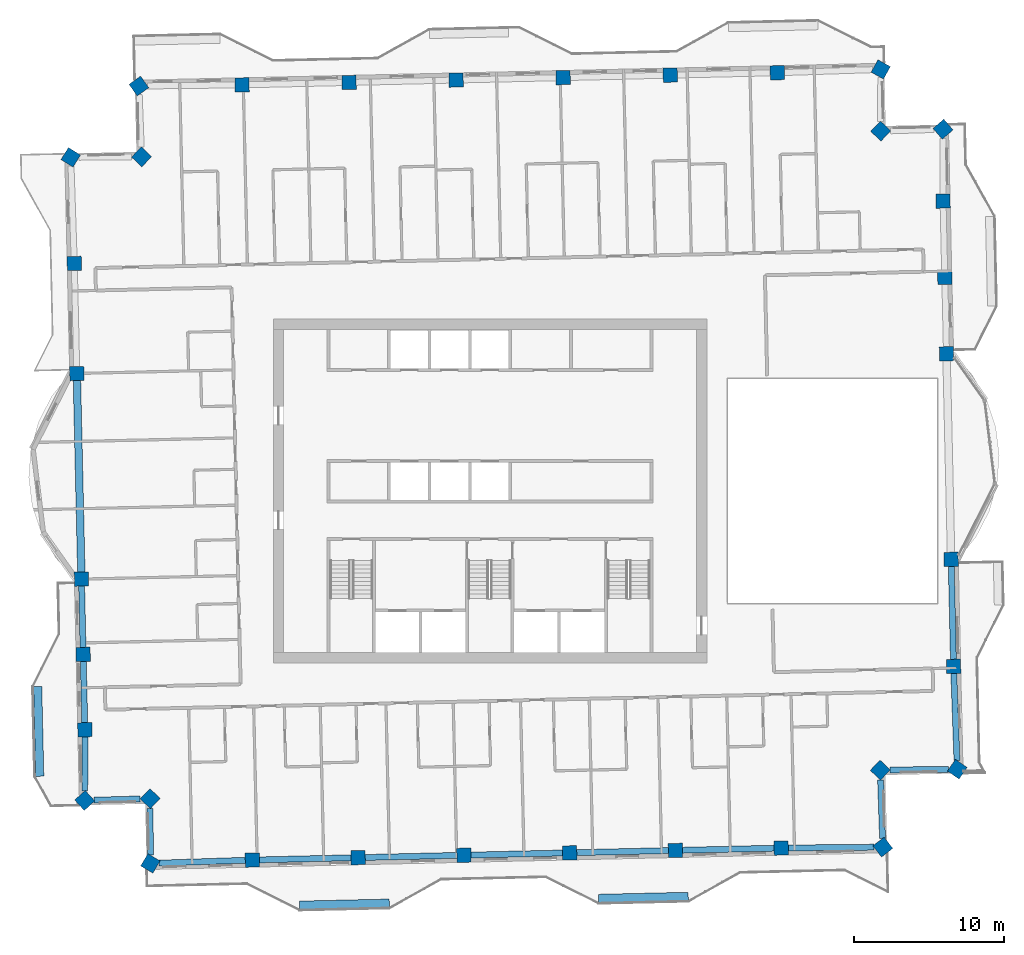
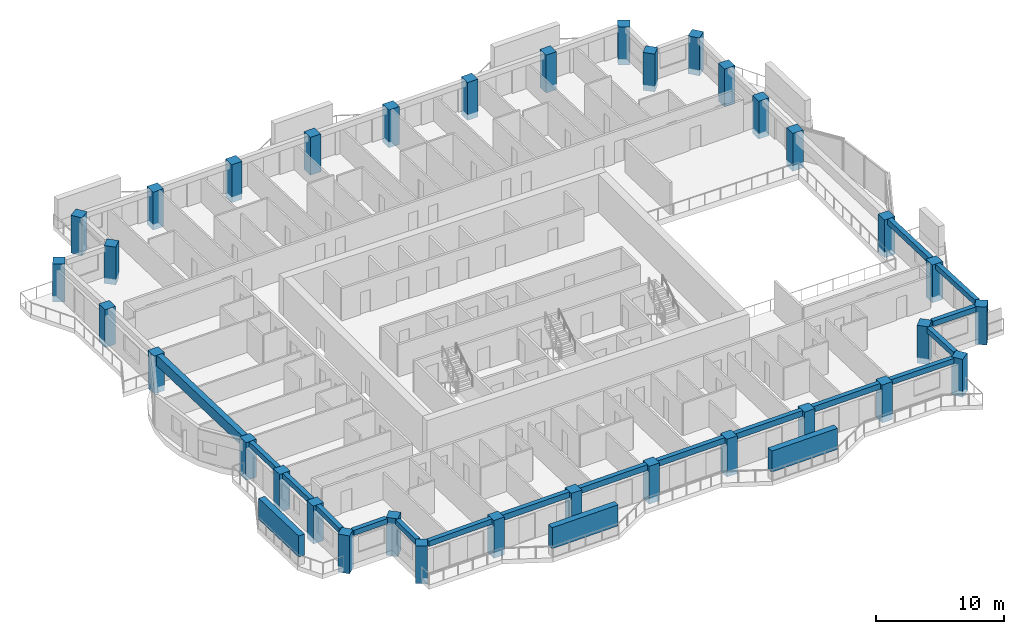
# One storey, part 1 of 18: 34 columns, 17 beams, 3 members.
"""IFC4 building model written with IfcOpenShell, lengths in metres."""

from ifc_helpers import new_model, si_unit, direction, frame, origin, origin_2d, place, context, subcontext, project, spatial, rectangle, extrude, material, material_profile, profile_set, type_object, element, save


model = new_model("IFC4")

# Units and contexts
model_context = context("Model", 3, precision=1e-05, world=origin(), true_north=direction((0.0, 1.0)))
body_context = subcontext(model_context, "Body", "Model", "MODEL_VIEW")
ifc_project = project(units=[si_unit("LENGTHUNIT", "METRE"), si_unit("AREAUNIT", "SQUARE_METRE"), si_unit("VOLUMEUNIT", "CUBIC_METRE"), si_unit("PLANEANGLEUNIT", "RADIAN"), si_unit("MASSUNIT", "GRAM", prefix="KILO")], contexts=[model_context])

# Site, building, storey
site_placement = place(None, origin())
site = spatial("IfcSite", under=ifc_project, at=site_placement, CompositionType="ELEMENT")
building_placement = place(site_placement, origin())
building = spatial("IfcBuilding", under=site, at=building_placement, Name="Mangrove Gate Tower", CompositionType="ELEMENT")
storey_placement = place(building_placement, frame((0.0, 0.0, 290.699951171875)))
storey = spatial("IfcBuildingStorey", under=building, at=storey_placement, Name="L74", CompositionType="ELEMENT", Elevation=290.699951171875)

# Columns
ifc_material_1 = material(Name="Concrete C50/60", Category="concrete")
ifc_material_profile_1 = material_profile(ifc_material_1, rectangle(XDim=0.949951171875, YDim=0.949951171875, at=origin_2d()))
ifc_profile_set_1 = profile_set([ifc_material_profile_1], Name="Concrete C50/60")
column_type = type_object("IfcColumnType", Name="Column RC 950x950 C50/60", PredefinedType="COLUMN", material=ifc_profile_set_1)
for number, where, z_axis, x_axis, name in (
    (1, (-27.3291015625, -5.88330078125, -0.550048828125), (0.0, 0.0, 1.0), (0.022668227132, -0.999743042726, 0.0), "Column L74 W05"),
    (2, (-27.215087890625, -10.92431640625, -0.550048828125), (0.0, 0.0, 1.0), (0.022611029903, -0.999744337982, 0.0), "Column L74 W06"),
    (3, (-27.10107421875, -15.964111328125, -0.550048828125), (0.0, 0.0, 1.0), (0.022712390043, -0.999742040398, 0.0), "Column L74 W07"),
    (4, (-27.1103515625, -20.694580078125, -0.550048828125), (0.0, 0.0, 1.0), (0.674559871236, -0.738220143398, 0.0), "Column L74 W08"),
    (5, (-22.73388671875, -20.571533203125, -0.550048828125), (0.0, 0.0, 1.0), (0.722917548782, -0.690934307777, 0.0), "Column L74 W09"),
    (6, (-22.721435546875, -24.905029296875, -0.550048828125), (0.0, 0.0, 1.0), (0.860936080736, -0.508713145974, 0.0), "Column L74 S01"),
    (7, (-15.898681640625, -24.67919921875, -0.550048828125), (0.0, 0.0, 1.0), (0.999742783124, 0.022679673549, 0.0), "Column L74 S02"),
    (8, (-8.82373046875, -24.51806640625, -0.550048828125), (0.0, 0.0, 1.0), (0.999742783124, 0.022679673549, 0.0), "Column L74 S03"),
    (9, (-1.748779296875, -24.358154296875, -0.550048828125), (0.0, 0.0, 1.0), (0.999742746705, 0.022681278839, 0.0), "Column L74 S04"),
    (10, (5.3251953125, -24.197021484375, -0.550048828125), (0.0, 0.0, 1.0), (0.999741142154, 0.022751894086, 0.0), "Column L74 S05"),
    (11, (12.400146484375, -24.0361328125, -0.550048828125), (0.0, 0.0, 1.0), (0.999742783124, 0.022679673549, 0.0), "Column L74 S06"),
    (12, (19.475341796875, -23.876220703125, -0.550048828125), (0.0, 0.0, 1.0), (0.999742783124, 0.022679673549, 0.0), "Column L74 S07"),
    (13, (26.271240234375, -23.813720703125, -0.550048828125), (0.0, 0.0, 1.0), (0.792213187663, 0.610244430775, 0.0), "Column L74 S08"),
    (14, (26.099609375, -18.663818359375, -0.550048828125), (0.0, 0.0, 1.0), (0.690876732885, 0.722972572065, 0.0), "Column L74 E01"),
    (15, (31.25048828125, -18.603759765625, -0.550048828125), (0.0, 0.0, 1.0), (0.568957327632, 0.8223670466, 0.0), "Column L74 E02"),
    (16, (31.004150390625, -11.723876953125, -0.550048828125), (0.0, 0.0, 1.0), (-0.02268810132, 0.9997425919, 0.0), "Column L74 E03"),
    (17, (30.841064453125, -4.563720703125, -0.550048828125), (0.0, 0.0, 1.0), (-0.022713803395, 0.999742008288, 0.0), "Column L74 E04"),
    (18, (30.529052734375, 9.183349609375, -0.550048828125), (0.0, 0.0, 1.0), (-0.022641914322, 0.999743638997, 0.0), "Column L74 E05"),
    (19, (30.4140625, 14.290283203125, -0.550048828125), (0.0, 0.0, 1.0), (-0.022610227257, 0.999744356135, 0.0), "Column L74 E06"),
    (20, (30.298095703125, 19.397216796875, -0.550048828125), (0.0, 0.0, 1.0), (-0.022708062743, 0.999742138697, 0.0), "Column L74 E07"),
    (21, (30.297119140625, 24.205078125, -0.550048828125), (0.0, 0.0, 1.0), (-0.652445951575, 0.757835259323, 0.0), "Column L74 E08"),
    (22, (26.1298828125, 24.07666015625, -0.550048828125), (0.0, 0.0, 1.0), (-0.722919671176, 0.69093208713, 0.0), "Column L74 E09"),
    (23, (26.132080078125, 28.203857421875, -0.550048828125), (0.0, 0.0, 1.0), (-0.873907193452, 0.486092807222, 0.0), "Column L74 N01"),
    (24, (19.212890625, 27.981201171875, -0.550048828125), (0.0, 0.0, 1.0), (-0.9997425919, -0.02268810132, 0.0), "Column L74 N02"),
    (25, (12.052734375, 27.819091796875, -0.550048828125), (0.0, 0.0, 1.0), (-0.9997425919, -0.02268810132, 0.0), "Column L74 N03"),
    (26, (4.891845703125, 27.656005859375, -0.550048828125), (0.0, 0.0, 1.0), (-0.9997425919, -0.02268810132, 0.0), "Column L74 N04"),
    (27, (-2.268310546875, 27.494140625, -0.550048828125), (0.0, 0.0, 1.0), (-0.9997425919, -0.02268810132, 0.0), "Column L74 N05"),
    (28, (-9.42919921875, 27.3310546875, -0.550048828125), (0.0, 0.0, 1.0), (-0.9997425919, -0.02268810132, 0.0), "Column L74 N06"),
    (29, (-16.589111328125, 27.169189453125, -0.550048828125), (0.0, 0.0, 1.0), (-0.9997425919, -0.02268810132, 0.0), "Column L74 N07"),
    (30, (-23.48779296875, 27.092529296875, -0.550048828125), (0.0, 0.0, 1.0), (-0.81788929658, -0.575375615176, 0.0), "Column L74 N08"),
    (31, (-23.30859375, 22.354736328125, -0.550048828125), (0.0, 0.0, 1.0), (-0.690864619266, -0.722984147714, 0.0), "Column L74 W01"),
    (32, (-28.04638671875, 22.32373046875, -0.550048828125), (0.0, 0.0, 1.0), (-0.526906799816, -0.849923069641, 0.0), "Column L74 W02"),
    (33, (-27.80810546875, 15.223876953125, -0.550048828125), (0.0, 0.0, 1.0), (0.022682831782, -0.999742711472, 0.0), "Column L74 W03"),
    (34, (-27.64111328125, 7.86376953125, -0.550048828125), (0.0, 0.0, 1.0), (0.022688048974, -0.999742593088, 0.0), "Column L74 W04"),
):
    element("IfcColumn", number, at=place(storey_placement, frame(where, z_axis=z_axis, x_axis=x_axis)), inside=storey, type_object=column_type, Name=name, PredefinedType="COLUMN", context=body_context, shape_type="SweptSolid", body=[
        extrude(rectangle(XDim=0.949951171875, YDim=0.949951171875, at=origin_2d()), origin(), (0.0, 0.0, 1.0), 3.60009765625),
    ])

# Members
ifc_material_2 = material(Name="Planting on aluminium trellis", Category="aluminium")
ifc_material_profile_2 = material_profile(ifc_material_2, rectangle(XDim=0.550048828125, YDim=2.0, at=origin_2d()))
ifc_profile_set_2 = profile_set([ifc_material_profile_2], Name="Planting on aluminium trellis")
member_type = type_object("IfcMemberType", Name="Balcony greenery screen 550x2000", PredefinedType="USERDEFINED", material=ifc_profile_set_2)
member_placement = place(storey_placement, frame((-30.12109375, -19.074951171875, 1.800048828125), z_axis=(-0.022665943652, 0.999743094499, 0.0), x_axis=(-0.999743094499, -0.022665943652, 0.0)))
element("IfcMember", 35, at=member_placement, inside=storey, type_object=member_type, Name="GREEN SCREEN L74 W1.1", ObjectType="PLANTING", PredefinedType="USERDEFINED", context=body_context, shape_type="SweptSolid", body=[
    extrude(rectangle(XDim=0.550048828125, YDim=2.0, at=origin_2d()), origin(), (0.0, 0.0, 1.0), 5.99951171875),
])
for number, where, z_axis, x_axis, name in (
    (36, (-12.738037109375, -27.697998046875, 1.800048828125), (0.999743178102, 0.022662255828, 0.0), (-0.022662255828, 0.999743178102, 0.0), "GREEN SCREEN L74 S0.1"),
    (37, (7.257080078125, -27.243896484375, 1.800048828125), (0.999743178102, 0.022662255828, 0.0), (-0.022662255828, 0.999743178102, 0.0), "GREEN SCREEN L74 S1.1"),
):
    element("IfcMember", number, at=place(storey_placement, frame(where, z_axis=z_axis, x_axis=x_axis)), inside=storey, type_object=member_type, Name=name, ObjectType="PLANTING", PredefinedType="USERDEFINED", context=body_context, shape_type="SweptSolid", body=[
        extrude(rectangle(XDim=0.550048828125, YDim=2.0, at=origin_2d()), origin(), (0.0, 0.0, 1.0), 6.00048828125),
    ])

# Beams
ifc_material_3 = material(Name="Concrete C50/60", Category="concrete")
ifc_material_profile_3 = material_profile(ifc_material_3, rectangle(XDim=0.39990234375, YDim=0.5, at=origin_2d()))
ifc_profile_set_3 = profile_set([ifc_material_profile_3], Name="Concrete C50/60")
beam_type_1 = type_object("IfcBeamType", Name="Edge beam RC 400x500 C50/60", PredefinedType="BEAM", material=ifc_profile_set_3)
beam_1_placement = place(storey_placement, frame((-27.318359375, -6.358154296875, 2.800048828125), z_axis=(0.022610282283, -0.99974435489, 0.0), x_axis=(0.99974435489, 0.022610282283, 0.0)))
element("IfcBeam", 38, at=beam_1_placement, inside=storey, type_object=beam_type_1, Name="Edge beam L74 00", PredefinedType="BEAM", context=body_context, shape_type="SweptSolid", body=[
    extrude(rectangle(XDim=0.39990234375, YDim=0.5, at=origin_2d()), origin(), (0.0, 0.0, 1.0), 4.09228515625),
])
beam_2_placement = place(storey_placement, frame((-27.204345703125, -11.399169921875, 2.800048828125), z_axis=(0.022617026961, -0.999744202329, 0.0), x_axis=(0.999744202329, 0.022617026961, 0.0)))
element("IfcBeam", 39, at=beam_2_placement, inside=storey, type_object=beam_type_1, Name="Edge beam L74 01", PredefinedType="BEAM", context=body_context, shape_type="SweptSolid", body=[
    extrude(rectangle(XDim=0.39990234375, YDim=0.5, at=origin_2d()), origin(), (0.0, 0.0, 1.0), 4.091064453125),
])
beam_3_placement = place(storey_placement, frame((-27.10205078125, -16.439453125, 2.800048828125), z_axis=(-0.001960913128, -0.999998077408, 0.0), x_axis=(0.999998077408, -0.001960913128, 0.0)))
element("IfcBeam", 40, at=beam_3_placement, inside=storey, type_object=beam_type_1, Name="Edge beam L74 02", PredefinedType="BEAM", context=body_context, shape_type="SweptSolid", body=[
    extrude(rectangle(XDim=0.39990234375, YDim=0.5, at=origin_2d()), origin(), (0.0, 0.0, 1.0), 3.610595703125),
])
beam_4_placement = place(storey_placement, frame((-26.48291015625, -20.677001953125, 2.800048828125), z_axis=(0.999604650157, 0.028116603344, 0.0), x_axis=(-0.028116603344, 0.999604650157, 0.0)))
element("IfcBeam", 41, at=beam_4_placement, inside=storey, type_object=beam_type_1, Name="Edge beam L74 03", PredefinedType="BEAM", context=body_context, shape_type="SweptSolid", body=[
    extrude(rectangle(XDim=0.39990234375, YDim=0.5, at=origin_2d()), origin(), (0.0, 0.0, 1.0), 3.08251953125),
])
beam_5_placement = place(storey_placement, frame((-22.73193359375, -21.23046875, 2.800048828125), z_axis=(0.002893551662, -0.999995813671, 0.0), x_axis=(0.999995813671, 0.002893551662, 0.0)))
element("IfcBeam", 42, at=beam_5_placement, inside=storey, type_object=beam_type_1, Name="Edge beam L74 04", PredefinedType="BEAM", context=body_context, shape_type="SweptSolid", body=[
    extrude(rectangle(XDim=0.39990234375, YDim=0.5, at=origin_2d()), origin(), (0.0, 0.0, 1.0), 3.121826171875),
])
beam_6_placement = place(storey_placement, frame((-22.15869140625, -24.886474609375, 2.800048828125), z_axis=(0.999451720574, 0.033109790709, 0.0), x_axis=(-0.033109790709, 0.999451720574, 0.0)))
element("IfcBeam", 43, at=beam_6_placement, inside=storey, type_object=beam_type_1, Name="Edge beam L74 05", PredefinedType="BEAM", context=body_context, shape_type="SweptSolid", body=[
    extrude(rectangle(XDim=0.39990234375, YDim=0.5, at=origin_2d()), origin(), (0.0, 0.0, 1.0), 5.788330078125),
])
beam_7_placement = place(storey_placement, frame((19.9501953125, -23.871826171875, 2.800048828125), z_axis=(0.999957587868, 0.009209911265, 0.0), x_axis=(-0.009209911265, 0.999957587868, 0.0)))
element("IfcBeam", 44, at=beam_7_placement, inside=storey, type_object=beam_type_1, Name="Edge beam L74 11", PredefinedType="BEAM", context=body_context, shape_type="SweptSolid", body=[
    extrude(rectangle(XDim=0.39990234375, YDim=0.5, at=origin_2d()), origin(), (0.0, 0.0, 1.0), 5.725830078125),
])
beam_8_placement = place(storey_placement, frame((26.251708984375, -23.22900390625, 2.800048828125), z_axis=(-0.033277341028, 0.999446155915, 0.0), x_axis=(-0.999446155915, -0.033277341028, 0.0)))
element("IfcBeam", 45, at=beam_8_placement, inside=storey, type_object=beam_type_1, Name="Edge beam L74 12", PredefinedType="BEAM", context=body_context, shape_type="SweptSolid", body=[
    extrude(rectangle(XDim=0.39990234375, YDim=0.5, at=origin_2d()), origin(), (0.0, 0.0, 1.0), 3.903076171875),
])
beam_9_placement = place(storey_placement, frame((26.763916015625, -18.656005859375, 2.800048828125), z_axis=(0.99993236047, 0.011630755991, 0.0), x_axis=(-0.011630755991, 0.99993236047, 0.0)))
element("IfcBeam", 46, at=beam_9_placement, inside=storey, type_object=beam_type_1, Name="Edge beam L74 13", PredefinedType="BEAM", context=body_context, shape_type="SweptSolid", body=[
    extrude(rectangle(XDim=0.39990234375, YDim=0.5, at=origin_2d()), origin(), (0.0, 0.0, 1.0), 3.904296875),
])
beam_10_placement = place(storey_placement, frame((31.229248046875, -18.011474609375, 2.800048828125), z_axis=(-0.035802315604, 0.999358891589, 0.0), x_axis=(-0.999358891589, -0.035802315604, 0.0)))
element("IfcBeam", 47, at=beam_10_placement, inside=storey, type_object=beam_type_1, Name="Edge beam L74 14", PredefinedType="BEAM", context=body_context, shape_type="SweptSolid", body=[
    extrude(rectangle(XDim=0.39990234375, YDim=0.5, at=origin_2d()), origin(), (0.0, 0.0, 1.0), 5.816650390625),
])
ifc_material_4 = material(Name="Concrete C50/60", Category="concrete")
ifc_material_profile_4 = material_profile(ifc_material_4, rectangle(XDim=0.39990234375, YDim=0.550048828125, at=origin_2d()))
ifc_profile_set_4 = profile_set([ifc_material_profile_4], Name="Concrete C50/60")
beam_type_2 = type_object("IfcBeamType", Name="Edge beam RC 400x550 C50/60", PredefinedType="BEAM", material=ifc_profile_set_4)
for number, where, z_axis, x_axis, name in (
    (48, (-15.423828125, -24.668212890625, 2.775146484375), (0.999741115026, 0.022753086081, 0.0), (-0.022753086081, 0.999741115026, 0.0), "Edge beam L74 06"),
    (49, (-8.348876953125, -24.50732421875, 2.775146484375), (0.999744728048, 0.022593776587, 0.0), (-0.022593776587, 0.999744728048, 0.0), "Edge beam L74 07"),
):
    element("IfcBeam", number, at=place(storey_placement, frame(where, z_axis=z_axis, x_axis=x_axis)), inside=storey, type_object=beam_type_2, Name=name, PredefinedType="BEAM", context=body_context, shape_type="SweptSolid", body=[
        extrude(rectangle(XDim=0.39990234375, YDim=0.550048828125, at=origin_2d()), origin(), (0.0, 0.0, 1.0), 6.126708984375),
    ])
beam_11_placement = place(storey_placement, frame((-1.27392578125, -24.347412109375, 2.775146484375), z_axis=(0.999741032489, 0.02275671236, 0.0), x_axis=(-0.02275671236, 0.999741032489, 0.0)))
element("IfcBeam", 50, at=beam_11_placement, inside=storey, type_object=beam_type_2, Name="Edge beam L74 08", PredefinedType="BEAM", context=body_context, shape_type="SweptSolid", body=[
    extrude(rectangle(XDim=0.39990234375, YDim=0.550048828125, at=origin_2d()), origin(), (0.0, 0.0, 1.0), 6.125732421875),
])
for number, where, z_axis, x_axis, name in (
    (51, (5.800048828125, -24.186279296875, 2.775146484375), (0.999741115026, 0.022753086081, 0.0), (-0.022753086081, 0.999741115026, 0.0), "Edge beam L74 09"),
    (52, (12.875, -24.025390625, 2.775146484375), (0.999744728048, 0.022593776587, 0.0), (-0.022593776587, 0.999744728048, 0.0), "Edge beam L74 10"),
):
    element("IfcBeam", number, at=place(storey_placement, frame(where, z_axis=z_axis, x_axis=x_axis)), inside=storey, type_object=beam_type_2, Name=name, PredefinedType="BEAM", context=body_context, shape_type="SweptSolid", body=[
        extrude(rectangle(XDim=0.39990234375, YDim=0.550048828125, at=origin_2d()), origin(), (0.0, 0.0, 1.0), 6.126708984375),
    ])
beam_12_placement = place(storey_placement, frame((30.993408203125, -11.248779296875, 2.775146484375), z_axis=(-0.022756223778, 0.99974104361, 0.0), x_axis=(-0.99974104361, -0.022756223778, 0.0)))
element("IfcBeam", 53, at=beam_12_placement, inside=storey, type_object=beam_type_2, Name="Edge beam L74 15", PredefinedType="BEAM", context=body_context, shape_type="SweptSolid", body=[
    extrude(rectangle(XDim=0.39990234375, YDim=0.550048828125, at=origin_2d()), origin(), (0.0, 0.0, 1.0), 6.2119140625),
])
ifc_material_5 = material(Name="Concrete C50/60", Category="concrete")
ifc_material_profile_5 = material_profile(ifc_material_5, rectangle(XDim=0.5, YDim=1.0, at=origin_2d()))
ifc_profile_set_5 = profile_set([ifc_material_profile_5], Name="Concrete C50/60")
beam_type_3 = type_object("IfcBeamType", Name="Edge beam RC 500x1000 C50/60", PredefinedType="BEAM", material=ifc_profile_set_5)
beam_13_placement = place(storey_placement, frame((-27.63037109375, 7.388916015625, 2.550048828125), z_axis=(0.0226962773, -0.999742406321, 0.0), x_axis=(0.999742406321, 0.0226962773, 0.0)))
element("IfcBeam", 54, at=beam_13_placement, inside=storey, type_object=beam_type_3, Name="Edge beam L74 33", PredefinedType="BEAM", context=body_context, shape_type="SweptSolid", body=[
    extrude(rectangle(XDim=0.5, YDim=1.0, at=origin_2d()), origin(), (0.0, 0.0, 1.0), 12.80078125),
])

save(model, "model.ifc")
